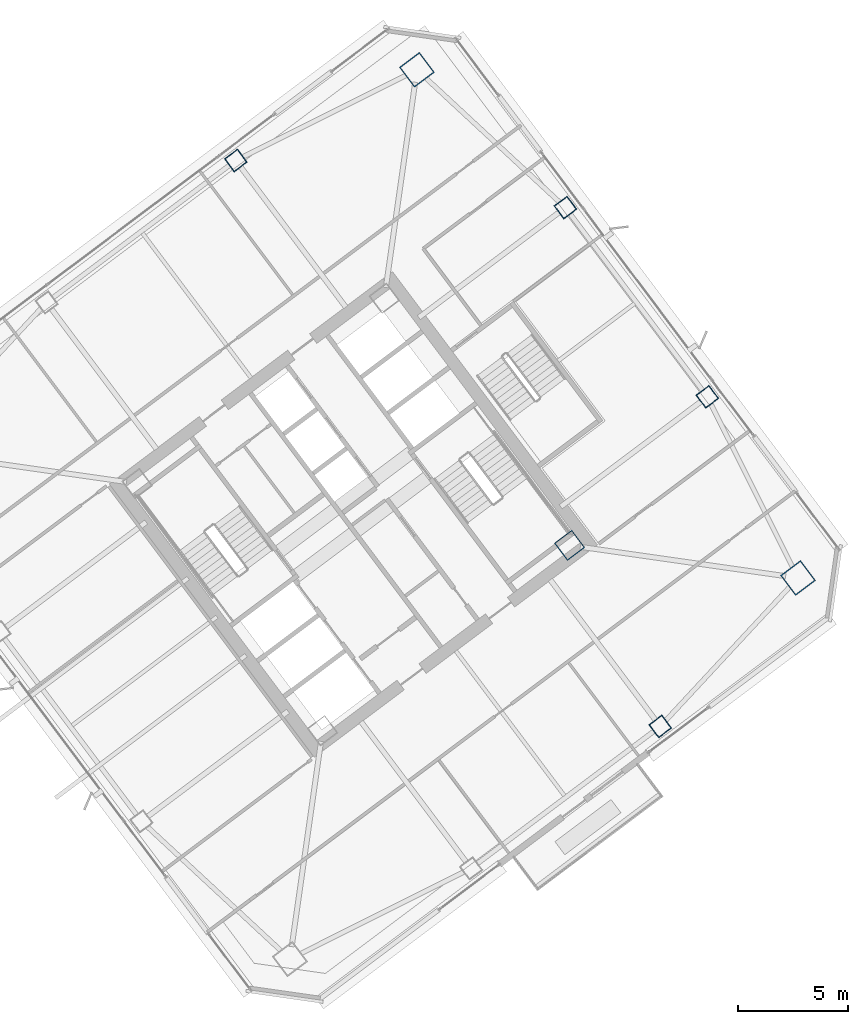
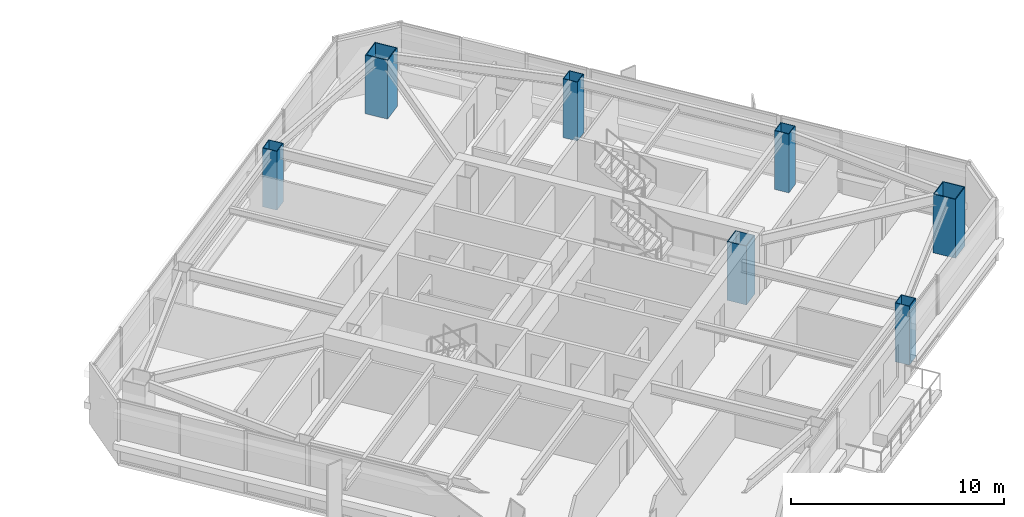
# One storey, part 2 of 46: 7 columns.
"""IFC4 building model written with IfcOpenShell, lengths in metres."""

import ifcopenshell
import ifcopenshell.guid

model = None  # the IFC model being written
_history = None  # IfcOwnerHistory: only IFC2X3 demands one
_inside = {}  # id of a spatial element -> (the spatial element, [elements in it])
_under = {}  # id of a project, library or spatial element -> (it, [spatial elements below it])
_declared = {}  # id of a project -> (the project, [libraries it declares])
_typed = {}  # id of a type object -> (the type object, [elements of that type])
_made_of = {}  # id of a material, layer set ... -> (it, [elements and type objects made of it])


def new_model(schema):
    """Start an empty IFC model of exactly this schema.

    Asked for "IFC4X3", IfcOpenShell would pick the latest addendum, in which some entities
    have other attributes; the version numbers below select the first issue.
    IFC2X3 requires an IfcOwnerHistory on every rooted entity: one is made here for all.
    """
    global model, _history
    if schema == "IFC4X3":
        model = ifcopenshell.file(schema_version=(4, 3, 0, 0))
    else:
        model = ifcopenshell.file(schema=schema)
    _inside.clear()
    _under.clear()
    _declared.clear()
    _typed.clear()
    _made_of.clear()
    _history = None
    if model.schema == "IFC2X3":
        org = make("IfcOrganization", Name="unknown")
        user = make(
            "IfcPersonAndOrganization",
            ThePerson=make("IfcPerson", FamilyName="unknown"),
            TheOrganization=org,
        )
        app = make(
            "IfcApplication",
            ApplicationDeveloper=org,
            Version="unknown",
            ApplicationFullName="unknown",
            ApplicationIdentifier="unknown",
        )
        _history = make(
            "IfcOwnerHistory",
            OwningUser=user,
            OwningApplication=app,
            ChangeAction="ADDED",
            CreationDate=0,
        )
    return model


def make(cls, **values):
    """One entity of the class cls with the attributes given. An attribute that is None is left unset."""
    return model.create_entity(
        cls, **{name: value for name, value in values.items() if value is not None}
    )


def rooted(cls, **values):
    """An entity with a GlobalId (a new one), such as an element, a storey or a relation."""
    return make(cls, GlobalId=ifcopenshell.guid.new(), OwnerHistory=_history, **values)


def si_unit(unit_type, name, prefix=None):
    """IfcSIUnit, for example si_unit("LENGTHUNIT", "METRE", prefix="MILLI")."""
    return make("IfcSIUnit", UnitType=unit_type, Prefix=prefix, Name=name)


def assignment(units):
    """IfcUnitAssignment: the units of a project."""
    return None if units is None else make("IfcUnitAssignment", Units=units)


def point(xyz):
    """IfcCartesianPoint."""
    return None if xyz is None else make("IfcCartesianPoint", Coordinates=xyz)


def direction(xyz):
    """IfcDirection."""
    return None if xyz is None else make("IfcDirection", DirectionRatios=xyz)


def frame(location, z_axis=None, x_axis=None):
    """IfcAxis2Placement3D, a coordinate frame: its origin and axes. An axis left out is left unset."""
    return make(
        "IfcAxis2Placement3D",
        Location=point(location),
        Axis=direction(z_axis),
        RefDirection=direction(x_axis),
    )


def frame_2d(location, x_axis=None):
    """IfcAxis2Placement2D, a coordinate frame in the plane: its origin and x axis."""
    return make(
        "IfcAxis2Placement2D", Location=point(location), RefDirection=direction(x_axis)
    )


def origin():
    """The frame at (0, 0, 0) with its axes left unset."""
    return frame((0.0, 0.0, 0.0))


def origin_2d():
    """The frame at (0, 0) in the plane with its x axis left unset."""
    return frame_2d((0.0, 0.0))


def place(relative_to, where):
    """IfcLocalPlacement: puts the frame where relative to a parent placement (None: the world)."""
    return make(
        "IfcLocalPlacement", PlacementRelTo=relative_to, RelativePlacement=where
    )


def context(
    kind, dimensions, precision=None, world=None, true_north=None, identifier=None
):
    """IfcGeometricRepresentationContext, for example the 3D "Model" context."""
    return make(
        "IfcGeometricRepresentationContext",
        ContextIdentifier=identifier,
        ContextType=kind,
        CoordinateSpaceDimension=dimensions,
        Precision=precision,
        WorldCoordinateSystem=world,
        TrueNorth=true_north,
    )


def subcontext(parent, identifier, kind, view, scale=None):
    """IfcGeometricRepresentationSubContext, for example "Body" below "Model"."""
    return make(
        "IfcGeometricRepresentationSubContext",
        ContextIdentifier=identifier,
        ContextType=kind,
        ParentContext=parent,
        TargetScale=scale,
        TargetView=view,
    )


def project(units=None, contexts=None):
    """IfcProject with its units and contexts."""
    return rooted(
        "IfcProject",
        Name="project",
        RepresentationContexts=contexts,
        UnitsInContext=assignment(units),
    )


def spatial(cls, under=None, at=None, **own):
    """A site, building, storey or space (cls), placed at a placement, below another one or the project."""
    s = rooted(cls, ObjectPlacement=at, **own)
    if under is not None:
        _under.setdefault(under.id(), (under, []))[1].append(s)
    return s


def profile(cls, at=None, kind="AREA", **sizes):
    """A parametric profile (cls). Its sizes go by their IFC names, for example OverallWidth=200.0."""
    return make(cls, ProfileType=kind, Position=at, **sizes)


def hollow_rectangle(**sizes):
    """IfcRectangleHollowProfileDef."""
    return profile("IfcRectangleHollowProfileDef", **sizes)


def extrude(swept, where, along, depth):
    """IfcExtrudedAreaSolid: the profile swept, set in the frame where, extruded along a direction by depth."""
    return make(
        "IfcExtrudedAreaSolid",
        SweptArea=swept,
        Position=where,
        ExtrudedDirection=direction(along),
        Depth=depth,
    )


def shape(context_of_items, identifier, shape_type, items):
    """IfcShapeRepresentation: the items that make up one representation, for example the "Body"."""
    return make(
        "IfcShapeRepresentation",
        ContextOfItems=context_of_items,
        RepresentationIdentifier=identifier,
        RepresentationType=shape_type,
        Items=items,
    )


def material(Name=None, Category=None):
    """IfcMaterial."""
    return make("IfcMaterial", Name=Name, Category=Category)


def material_profile(
    of_material, cross_section, Name=None, Category=None, Priority=None
):
    """IfcMaterialProfile: a cross section and its material."""
    return make(
        "IfcMaterialProfile",
        Name=Name,
        Material=of_material,
        Profile=cross_section,
        Priority=Priority,
        Category=Category,
    )


def profile_set(profiles, Name=None, composite=None):
    """IfcMaterialProfileSet."""
    return make(
        "IfcMaterialProfileSet",
        Name=Name,
        MaterialProfiles=profiles,
        CompositeProfile=composite,
    )


def made_of(thing, what):
    """Note that an element or type object is made of a material, layer set ...; save() writes the relation."""
    if what is not None:
        _made_of.setdefault(what.id(), (what, []))[1].append(thing)
    return thing


def type_object(cls, material=None, **own):
    """A type object (cls), such as IfcWallType, which elements share."""
    return made_of(rooted(cls, **own), material)


def element(
    cls,
    number,
    at=None,
    inside=None,
    cuts=None,
    type_object=None,
    material=None,
    context=None,
    identifier="Body",
    shape_type=None,
    held_by="IfcProductDefinitionShape",
    body=None,
    shapes=None,
    **own,
):
    """One element of the class cls, such as IfcWall. Its Tag is "e" and its number.

    at: its placement. inside: the storey or other place that contains it. cuts: it is an
    opening in that element (IfcRelVoidsElement). A single representation is given by context,
    identifier, shape_type and body (its items); several are given by shapes. held_by: the class
    of the entity that holds the representations. save() writes the other relations.
    """
    e = rooted(cls, Tag="e%d" % number, ObjectPlacement=at, **own)
    if body is not None:
        shapes = [shape(context, identifier, shape_type, body)]
    if shapes is not None:
        e.Representation = make(held_by, Representations=shapes)
    if inside is not None:
        _inside.setdefault(inside.id(), (inside, []))[1].append(e)
    if cuts is not None:
        rooted(
            "IfcRelVoidsElement", RelatingBuildingElement=cuts, RelatedOpeningElement=e
        )
    if type_object is not None:
        _typed.setdefault(type_object.id(), (type_object, []))[1].append(e)
    return made_of(e, material)


def aggregate(whole, parts):
    """IfcRelAggregates: a whole, such as a stair, and the parts it consists of."""
    return rooted("IfcRelAggregates", RelatingObject=whole, RelatedObjects=parts)


def save(model, path):
    """Write the relations noted so far, then the file.

    IfcRelAggregates (storeys below a building ...), IfcRelContainedInSpatialStructure (elements
    in a storey), IfcRelDefinesByType, IfcRelAssociatesMaterial and IfcRelDeclares: one each for
    every whole, place, type object, material and project.
    """
    for whole, parts in _under.values():
        aggregate(whole, parts)
    for where, things in _inside.values():
        rooted(
            "IfcRelContainedInSpatialStructure",
            RelatedElements=things,
            RelatingStructure=where,
        )
    for kind, things in _typed.values():
        rooted("IfcRelDefinesByType", RelatedObjects=things, RelatingType=kind)
    for what, things in _made_of.values():
        rooted("IfcRelAssociatesMaterial", RelatedObjects=things, RelatingMaterial=what)
    for by, libraries in _declared.values():
        rooted("IfcRelDeclares", RelatingContext=by, RelatedDefinitions=libraries)
    model.write(path)


model = new_model("IFC4")

# Units and contexts
model_context = context("Model", 3, precision=1e-05, world=origin(), true_north=direction((0.0, 1.0)))
body_context = subcontext(model_context, "Body", "Model", "MODEL_VIEW")
ifc_project = project(units=[si_unit("LENGTHUNIT", "METRE"), si_unit("AREAUNIT", "SQUARE_METRE"), si_unit("VOLUMEUNIT", "CUBIC_METRE"), si_unit("PLANEANGLEUNIT", "RADIAN"), si_unit("MASSUNIT", "GRAM", prefix="KILO")], contexts=[model_context])

# Site, building, storey
site_placement = place(None, origin())
site = spatial("IfcSite", under=ifc_project, at=site_placement, CompositionType="ELEMENT")
building_placement = place(site_placement, origin())
building = spatial("IfcBuilding", under=site, at=building_placement, Name="Tashvorn Skyway Center", CompositionType="ELEMENT")
storey_placement = place(building_placement, frame((0.0, 0.0, 167.64990234375)))
storey = spatial("IfcBuildingStorey", under=building, at=storey_placement, Name="L45", CompositionType="ELEMENT", Elevation=167.64990234375)

# Columns
ifc_material = material(Name="Steel ASTM A572 Grade 50", Category="steel")
ifc_material_profile_1 = material_profile(ifc_material, hollow_rectangle(XDim=1.0, YDim=1.0, WallThickness=0.0400390625, at=origin_2d()), Name="BOX1000x1000x40")
ifc_profile_set_1 = profile_set([ifc_material_profile_1], Name="Steel ASTM A572 Grade 50")
column_type_1 = type_object("IfcColumnType", Name="COL-BOX1000x1000x40", PredefinedType="COLUMN", material=ifc_profile_set_1)
column_placement = place(storey_placement, frame((123.8701171875, 30.590087890625, 0.0), z_axis=(0.0, 0.0, 1.0), x_axis=(0.799999996291, 0.600000004945, 0.0)))
element("IfcColumn", 1, at=column_placement, inside=storey, type_object=column_type_1, Name="Tower 2 L45 Core Corner Column CC-SE", PredefinedType="COLUMN", context=body_context, shape_type="SweptSolid", body=[
    extrude(hollow_rectangle(XDim=1.0, YDim=1.0, WallThickness=0.0400390625, at=origin_2d()), origin(), (0.0, 0.0, 1.0), 3.3701171875),
])
ifc_material_profile_2 = material_profile(ifc_material, hollow_rectangle(XDim=1.14990234375, YDim=1.14990234375, WallThickness=0.044921875, at=origin_2d()), Name="BOX1150x1150x45")
ifc_profile_set_2 = profile_set([ifc_material_profile_2], Name="Steel ASTM A572 Grade 50")
column_type_2 = type_object("IfcColumnType", Name="COL-BOX1150x1150x45", PredefinedType="COLUMN", material=ifc_profile_set_2)
for number, where, z_axis, x_axis, name in (
    (2, (134.300048828125, 29.10009765625, 0.0), (0.0, 0.0, 1.0), (0.799999996291, 0.600000004945, 0.0), "Tower 2 L45 Mega-Column MC-SE"),
    (3, (116.89990234375, 52.300048828125, 0.0), (0.0, 0.0, 1.0), (0.799999996291, 0.600000004945, 0.0), "Tower 2 L45 Mega-Column MC-NE"),
):
    element("IfcColumn", number, at=place(storey_placement, frame(where, z_axis=z_axis, x_axis=x_axis)), inside=storey, type_object=column_type_2, Name=name, PredefinedType="COLUMN", context=body_context, shape_type="SweptSolid", body=[
        extrude(hollow_rectangle(XDim=1.14990234375, YDim=1.14990234375, WallThickness=0.044921875, at=origin_2d()), origin(), (0.0, 0.0, 1.0), 3.3701171875),
    ])
ifc_material_profile_3 = material_profile(ifc_material, hollow_rectangle(XDim=0.75, YDim=0.75, WallThickness=0.031982421875, at=origin_2d()), Name="BOX750x750x32")
ifc_profile_set_3 = profile_set([ifc_material_profile_3], Name="Steel ASTM A572 Grade 50")
column_type_3 = type_object("IfcColumnType", Name="COL-BOX750x750x32", PredefinedType="COLUMN", material=ifc_profile_set_3)
for number, where, z_axis, x_axis, name in (
    (4, (128.010009765625, 22.320068359375, 0.0), (0.0, 0.0, 1.0), (0.799999996291, 0.600000004945, 0.0), "Tower 2 L45 Perimeter Column FC-S2"),
    (5, (130.159912109375, 37.3701171875, 0.0), (0.0, 0.0, 1.0), (0.799999996291, 0.600000004945, 0.0), "Tower 2 L45 Perimeter Column FC-E1"),
    (6, (123.679931640625, 46.010009765625, 0.0), (0.0, 0.0, 1.0), (0.799999996291, 0.600000004945, 0.0), "Tower 2 L45 Perimeter Column FC-E2"),
    (7, (108.6298828125, 48.159912109375, 0.0), (0.0, 0.0, 1.0), (0.799999996291, 0.600000004945, 0.0), "Tower 2 L45 Perimeter Column FC-N1"),
):
    element("IfcColumn", number, at=place(storey_placement, frame(where, z_axis=z_axis, x_axis=x_axis)), inside=storey, type_object=column_type_3, Name=name, PredefinedType="COLUMN", context=body_context, shape_type="SweptSolid", body=[
        extrude(hollow_rectangle(XDim=0.75, YDim=0.75, WallThickness=0.031982421875, at=origin_2d()), origin(), (0.0, 0.0, 1.0), 3.3701171875),
    ])

save(model, "model.ifc")
